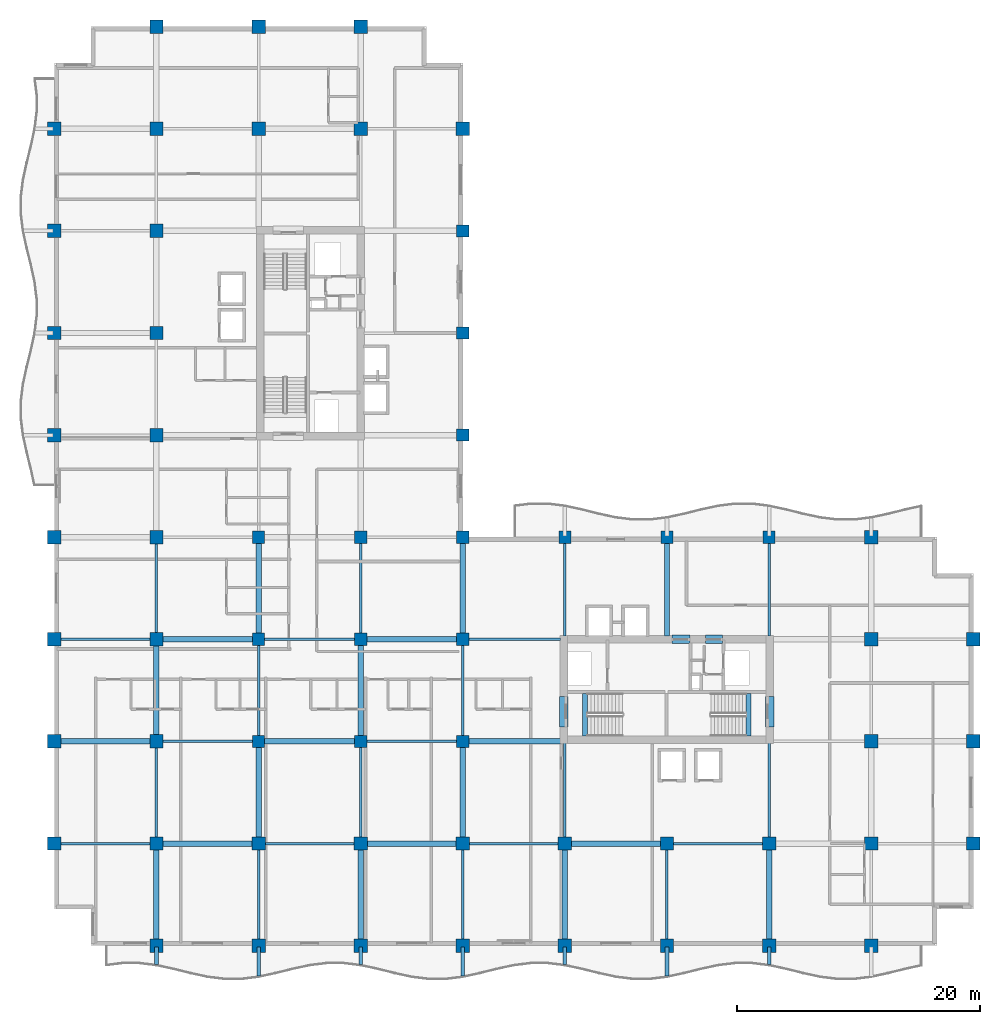
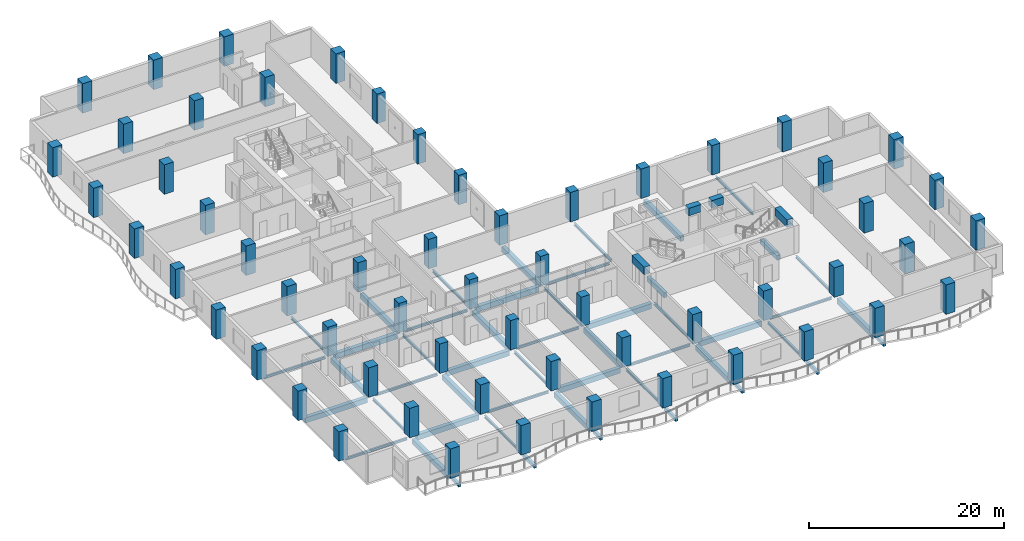
# One storey, part 1 of 15: 58 columns, 54 beams.
"""IFC4 building model written with IfcOpenShell, lengths in metres."""

import ifcopenshell
import ifcopenshell.guid

model = None  # the IFC model being written
_history = None  # IfcOwnerHistory: only IFC2X3 demands one
_inside = {}  # id of a spatial element -> (the spatial element, [elements in it])
_under = {}  # id of a project, library or spatial element -> (it, [spatial elements below it])
_declared = {}  # id of a project -> (the project, [libraries it declares])
_typed = {}  # id of a type object -> (the type object, [elements of that type])
_made_of = {}  # id of a material, layer set ... -> (it, [elements and type objects made of it])


def new_model(schema):
    """Start an empty IFC model of exactly this schema.

    Asked for "IFC4X3", IfcOpenShell would pick the latest addendum, in which some entities
    have other attributes; the version numbers below select the first issue.
    IFC2X3 requires an IfcOwnerHistory on every rooted entity: one is made here for all.
    """
    global model, _history
    if schema == "IFC4X3":
        model = ifcopenshell.file(schema_version=(4, 3, 0, 0))
    else:
        model = ifcopenshell.file(schema=schema)
    _inside.clear()
    _under.clear()
    _declared.clear()
    _typed.clear()
    _made_of.clear()
    _history = None
    if model.schema == "IFC2X3":
        org = make("IfcOrganization", Name="unknown")
        user = make(
            "IfcPersonAndOrganization",
            ThePerson=make("IfcPerson", FamilyName="unknown"),
            TheOrganization=org,
        )
        app = make(
            "IfcApplication",
            ApplicationDeveloper=org,
            Version="unknown",
            ApplicationFullName="unknown",
            ApplicationIdentifier="unknown",
        )
        _history = make(
            "IfcOwnerHistory",
            OwningUser=user,
            OwningApplication=app,
            ChangeAction="ADDED",
            CreationDate=0,
        )
    return model


def make(cls, **values):
    """One entity of the class cls with the attributes given. An attribute that is None is left unset."""
    return model.create_entity(
        cls, **{name: value for name, value in values.items() if value is not None}
    )


def rooted(cls, **values):
    """An entity with a GlobalId (a new one), such as an element, a storey or a relation."""
    return make(cls, GlobalId=ifcopenshell.guid.new(), OwnerHistory=_history, **values)


def si_unit(unit_type, name, prefix=None):
    """IfcSIUnit, for example si_unit("LENGTHUNIT", "METRE", prefix="MILLI")."""
    return make("IfcSIUnit", UnitType=unit_type, Prefix=prefix, Name=name)


def assignment(units):
    """IfcUnitAssignment: the units of a project."""
    return None if units is None else make("IfcUnitAssignment", Units=units)


def point(xyz):
    """IfcCartesianPoint."""
    return None if xyz is None else make("IfcCartesianPoint", Coordinates=xyz)


def direction(xyz):
    """IfcDirection."""
    return None if xyz is None else make("IfcDirection", DirectionRatios=xyz)


def frame(location, z_axis=None, x_axis=None):
    """IfcAxis2Placement3D, a coordinate frame: its origin and axes. An axis left out is left unset."""
    return make(
        "IfcAxis2Placement3D",
        Location=point(location),
        Axis=direction(z_axis),
        RefDirection=direction(x_axis),
    )


def frame_2d(location, x_axis=None):
    """IfcAxis2Placement2D, a coordinate frame in the plane: its origin and x axis."""
    return make(
        "IfcAxis2Placement2D", Location=point(location), RefDirection=direction(x_axis)
    )


def origin():
    """The frame at (0, 0, 0) with its axes left unset."""
    return frame((0.0, 0.0, 0.0))


def origin_2d():
    """The frame at (0, 0) in the plane with its x axis left unset."""
    return frame_2d((0.0, 0.0))


def place(relative_to, where):
    """IfcLocalPlacement: puts the frame where relative to a parent placement (None: the world)."""
    return make(
        "IfcLocalPlacement", PlacementRelTo=relative_to, RelativePlacement=where
    )


def context(
    kind, dimensions, precision=None, world=None, true_north=None, identifier=None
):
    """IfcGeometricRepresentationContext, for example the 3D "Model" context."""
    return make(
        "IfcGeometricRepresentationContext",
        ContextIdentifier=identifier,
        ContextType=kind,
        CoordinateSpaceDimension=dimensions,
        Precision=precision,
        WorldCoordinateSystem=world,
        TrueNorth=true_north,
    )


def subcontext(parent, identifier, kind, view, scale=None):
    """IfcGeometricRepresentationSubContext, for example "Body" below "Model"."""
    return make(
        "IfcGeometricRepresentationSubContext",
        ContextIdentifier=identifier,
        ContextType=kind,
        ParentContext=parent,
        TargetScale=scale,
        TargetView=view,
    )


def project(units=None, contexts=None):
    """IfcProject with its units and contexts."""
    return rooted(
        "IfcProject",
        Name="project",
        RepresentationContexts=contexts,
        UnitsInContext=assignment(units),
    )


def spatial(cls, under=None, at=None, **own):
    """A site, building, storey or space (cls), placed at a placement, below another one or the project."""
    s = rooted(cls, ObjectPlacement=at, **own)
    if under is not None:
        _under.setdefault(under.id(), (under, []))[1].append(s)
    return s


def profile(cls, at=None, kind="AREA", **sizes):
    """A parametric profile (cls). Its sizes go by their IFC names, for example OverallWidth=200.0."""
    return make(cls, ProfileType=kind, Position=at, **sizes)


def rectangle(**sizes):
    """IfcRectangleProfileDef."""
    return profile("IfcRectangleProfileDef", **sizes)


def i_section(**sizes):
    """IfcIShapeProfileDef."""
    return profile("IfcIShapeProfileDef", **sizes)


def extrude(swept, where, along, depth):
    """IfcExtrudedAreaSolid: the profile swept, set in the frame where, extruded along a direction by depth."""
    return make(
        "IfcExtrudedAreaSolid",
        SweptArea=swept,
        Position=where,
        ExtrudedDirection=direction(along),
        Depth=depth,
    )


def shape(context_of_items, identifier, shape_type, items):
    """IfcShapeRepresentation: the items that make up one representation, for example the "Body"."""
    return make(
        "IfcShapeRepresentation",
        ContextOfItems=context_of_items,
        RepresentationIdentifier=identifier,
        RepresentationType=shape_type,
        Items=items,
    )


def material(Name=None, Category=None):
    """IfcMaterial."""
    return make("IfcMaterial", Name=Name, Category=Category)


def material_profile(
    of_material, cross_section, Name=None, Category=None, Priority=None
):
    """IfcMaterialProfile: a cross section and its material."""
    return make(
        "IfcMaterialProfile",
        Name=Name,
        Material=of_material,
        Profile=cross_section,
        Priority=Priority,
        Category=Category,
    )


def profile_set(profiles, Name=None, composite=None):
    """IfcMaterialProfileSet."""
    return make(
        "IfcMaterialProfileSet",
        Name=Name,
        MaterialProfiles=profiles,
        CompositeProfile=composite,
    )


def made_of(thing, what):
    """Note that an element or type object is made of a material, layer set ...; save() writes the relation."""
    if what is not None:
        _made_of.setdefault(what.id(), (what, []))[1].append(thing)
    return thing


def type_object(cls, material=None, **own):
    """A type object (cls), such as IfcWallType, which elements share."""
    return made_of(rooted(cls, **own), material)


def element(
    cls,
    number,
    at=None,
    inside=None,
    cuts=None,
    type_object=None,
    material=None,
    context=None,
    identifier="Body",
    shape_type=None,
    held_by="IfcProductDefinitionShape",
    body=None,
    shapes=None,
    **own,
):
    """One element of the class cls, such as IfcWall. Its Tag is "e" and its number.

    at: its placement. inside: the storey or other place that contains it. cuts: it is an
    opening in that element (IfcRelVoidsElement). A single representation is given by context,
    identifier, shape_type and body (its items); several are given by shapes. held_by: the class
    of the entity that holds the representations. save() writes the other relations.
    """
    e = rooted(cls, Tag="e%d" % number, ObjectPlacement=at, **own)
    if body is not None:
        shapes = [shape(context, identifier, shape_type, body)]
    if shapes is not None:
        e.Representation = make(held_by, Representations=shapes)
    if inside is not None:
        _inside.setdefault(inside.id(), (inside, []))[1].append(e)
    if cuts is not None:
        rooted(
            "IfcRelVoidsElement", RelatingBuildingElement=cuts, RelatedOpeningElement=e
        )
    if type_object is not None:
        _typed.setdefault(type_object.id(), (type_object, []))[1].append(e)
    return made_of(e, material)


def aggregate(whole, parts):
    """IfcRelAggregates: a whole, such as a stair, and the parts it consists of."""
    return rooted("IfcRelAggregates", RelatingObject=whole, RelatedObjects=parts)


def save(model, path):
    """Write the relations noted so far, then the file.

    IfcRelAggregates (storeys below a building ...), IfcRelContainedInSpatialStructure (elements
    in a storey), IfcRelDefinesByType, IfcRelAssociatesMaterial and IfcRelDeclares: one each for
    every whole, place, type object, material and project.
    """
    for whole, parts in _under.values():
        aggregate(whole, parts)
    for where, things in _inside.values():
        rooted(
            "IfcRelContainedInSpatialStructure",
            RelatedElements=things,
            RelatingStructure=where,
        )
    for kind, things in _typed.values():
        rooted("IfcRelDefinesByType", RelatedObjects=things, RelatingType=kind)
    for what, things in _made_of.values():
        rooted("IfcRelAssociatesMaterial", RelatedObjects=things, RelatingMaterial=what)
    for by, libraries in _declared.values():
        rooted("IfcRelDeclares", RelatingContext=by, RelatedDefinitions=libraries)
    model.write(path)


model = new_model("IFC4")

# Units and contexts
model_context = context("Model", 3, precision=1e-05, world=origin(), true_north=direction((0.0, 1.0)))
body_context = subcontext(model_context, "Body", "Model", "MODEL_VIEW")
ifc_project = project(units=[si_unit("LENGTHUNIT", "METRE"), si_unit("AREAUNIT", "SQUARE_METRE"), si_unit("VOLUMEUNIT", "CUBIC_METRE"), si_unit("PLANEANGLEUNIT", "RADIAN"), si_unit("MASSUNIT", "GRAM", prefix="KILO")], contexts=[model_context])

# Site, building, storey
site_placement = place(None, origin())
site = spatial("IfcSite", under=ifc_project, at=site_placement, CompositionType="ELEMENT")
building_placement = place(site_placement, origin())
building = spatial("IfcBuilding", under=site, at=building_placement, Name="Koriwani Terraces Tower", CompositionType="ELEMENT")
storey_placement = place(building_placement, frame((0.0, 0.0, 193.89990234375)))
storey = spatial("IfcBuildingStorey", under=building, at=storey_placement, Name="L47", CompositionType="ELEMENT", Elevation=193.89990234375)

# Columns
ifc_material_1 = material(Name="Concrete C50/60", Category="concrete")
ifc_material_profile_1 = material_profile(ifc_material_1, rectangle(XDim=1.0, YDim=1.0, at=origin_2d()), Name="Concrete C50/60", Category="LoadBearing")
ifc_profile_set_1 = profile_set([ifc_material_profile_1], Name="Concrete C50/60")
column_type_1 = type_object("IfcColumnType", Name="COL_RC_1000X1000", PredefinedType="COLUMN", material=ifc_profile_set_1)
for number, where, z_axis, x_axis, name in (
    (1, (16.800048828125, 16.800048828125, 0.0), (0.0, 0.0, 1.0), (1.0, 0.0, 0.0), "L47 Column 3/C"),
    (2, (16.800048828125, 25.199951171875, 0.0), (0.0, 0.0, 1.0), (1.0, 0.0, 0.0), "L47 Column 3/D"),
    (3, (16.800048828125, 33.60009765625, 0.0), (0.0, 0.0, 1.0), (1.0, 0.0, 0.0), "L47 Column 3/E"),
    (4, (25.199951171875, 16.800048828125, 0.0), (0.0, 0.0, 1.0), (1.0, 0.0, 0.0), "L47 Column 4/C"),
    (5, (25.199951171875, 25.199951171875, 0.0), (0.0, 0.0, 1.0), (1.0, 0.0, 0.0), "L47 Column 4/D"),
    (6, (25.199951171875, 33.60009765625, 0.0), (0.0, 0.0, 1.0), (1.0, 0.0, 0.0), "L47 Column 4/E"),
    (7, (33.60009765625, 16.800048828125, 0.0), (0.0, 0.0, 1.0), (1.0, 0.0, 0.0), "L47 Column 5/C"),
    (8, (33.60009765625, 25.199951171875, 0.0), (0.0, 0.0, 1.0), (1.0, 0.0, 0.0), "L47 Column 5/D"),
    (9, (33.60009765625, 33.60009765625, 0.0), (0.0, 0.0, 1.0), (1.0, 0.0, 0.0), "L47 Column 5/E"),
    (10, (33.60009765625, 42.0, 0.0), (0.0, 0.0, 1.0), (1.0, 0.0, 0.0), "L47 Column 5/F"),
    (11, (33.60009765625, 50.39990234375, 0.0), (0.0, 0.0, 1.0), (1.0, 0.0, 0.0), "L47 Column 5/G"),
    (12, (33.60009765625, 58.800048828125, 0.0), (0.0, 0.0, 1.0), (1.0, 0.0, 0.0), "L47 Column 5/H"),
    (13, (42.0, 33.60009765625, 0.0), (0.0, 0.0, 1.0), (1.0, 0.0, 0.0), "L47 Column 6/E"),
    (14, (50.39990234375, 33.60009765625, 0.0), (0.0, 0.0, 1.0), (1.0, 0.0, 0.0), "L47 Column 7/E"),
    (15, (58.800048828125, 33.60009765625, 0.0), (0.0, 0.0, 1.0), (1.0, 0.0, 0.0), "L47 Column 8/E"),
):
    element("IfcColumn", number, at=place(storey_placement, frame(where, z_axis=z_axis, x_axis=x_axis)), inside=storey, type_object=column_type_1, Name=name, PredefinedType="COLUMN", context=body_context, shape_type="SweptSolid", body=[
        extrude(rectangle(XDim=1.0, YDim=1.0, at=origin_2d()), origin(), (0.0, 0.0, 1.0), 3.7001953125),
    ])
ifc_material_profile_2 = material_profile(ifc_material_1, rectangle(XDim=1.10009765625, YDim=1.10009765625, at=origin_2d()), Name="Concrete C50/60", Category="LoadBearing")
ifc_profile_set_2 = profile_set([ifc_material_profile_2], Name="Concrete C50/60")
column_type_2 = type_object("IfcColumnType", Name="COL_RC_1100X1100", PredefinedType="COLUMN", material=ifc_profile_set_2)
for number, where, z_axis, x_axis, name in (
    (16, (0.0, 8.39990234375, 0.0), (0.0, 0.0, 1.0), (1.0, 0.0, 0.0), "L47 Column 1/B"),
    (17, (0.0, 16.800048828125, 0.0), (0.0, 0.0, 1.0), (1.0, 0.0, 0.0), "L47 Column 1/C"),
    (18, (0.0, 25.199951171875, 0.0), (0.0, 0.0, 1.0), (1.0, 0.0, 0.0), "L47 Column 1/D"),
    (19, (0.0, 33.60009765625, 0.0), (0.0, 0.0, 1.0), (1.0, 0.0, 0.0), "L47 Column 1/E"),
    (20, (0.0, 42.0, 0.0), (0.0, 0.0, 1.0), (1.0, 0.0, 0.0), "L47 Column 1/F"),
    (21, (0.0, 50.39990234375, 0.0), (0.0, 0.0, 1.0), (1.0, 0.0, 0.0), "L47 Column 1/G"),
    (22, (0.0, 58.800048828125, 0.0), (0.0, 0.0, 1.0), (1.0, 0.0, 0.0), "L47 Column 1/H"),
    (23, (0.0, 67.199951171875, 0.0), (0.0, 0.0, 1.0), (1.0, 0.0, 0.0), "L47 Column 1/I"),
    (24, (8.39990234375, 0.0, 0.0), (0.0, 0.0, 1.0), (1.0, 0.0, 0.0), "L47 Column 2/A"),
    (25, (8.39990234375, 8.39990234375, 0.0), (0.0, 0.0, 1.0), (1.0, 0.0, 0.0), "L47 Column 2/B"),
    (26, (8.39990234375, 16.800048828125, 0.0), (0.0, 0.0, 1.0), (1.0, 0.0, 0.0), "L47 Column 2/C"),
    (27, (8.39990234375, 25.199951171875, 0.0), (0.0, 0.0, 1.0), (1.0, 0.0, 0.0), "L47 Column 2/D"),
    (28, (8.39990234375, 33.60009765625, 0.0), (0.0, 0.0, 1.0), (1.0, 0.0, 0.0), "L47 Column 2/E"),
    (29, (8.39990234375, 42.0, 0.0), (0.0, 0.0, 1.0), (1.0, 0.0, 0.0), "L47 Column 2/F"),
    (30, (8.39990234375, 50.39990234375, 0.0), (0.0, 0.0, 1.0), (1.0, 0.0, 0.0), "L47 Column 2/G"),
    (31, (8.39990234375, 58.800048828125, 0.0), (0.0, 0.0, 1.0), (1.0, 0.0, 0.0), "L47 Column 2/H"),
    (32, (8.39990234375, 67.199951171875, 0.0), (0.0, 0.0, 1.0), (1.0, 0.0, 0.0), "L47 Column 2/I"),
    (33, (8.39990234375, 75.60009765625, 0.0), (0.0, 0.0, 1.0), (1.0, 0.0, 0.0), "L47 Column 2/J"),
    (34, (16.800048828125, 0.0, 0.0), (0.0, 0.0, 1.0), (1.0, 0.0, 0.0), "L47 Column 3/A"),
    (35, (16.800048828125, 8.39990234375, 0.0), (0.0, 0.0, 1.0), (1.0, 0.0, 0.0), "L47 Column 3/B"),
    (36, (16.800048828125, 67.199951171875, 0.0), (0.0, 0.0, 1.0), (1.0, 0.0, 0.0), "L47 Column 3/I"),
    (37, (16.800048828125, 75.60009765625, 0.0), (0.0, 0.0, 1.0), (1.0, 0.0, 0.0), "L47 Column 3/J"),
    (38, (25.199951171875, 0.0, 0.0), (0.0, 0.0, 1.0), (1.0, 0.0, 0.0), "L47 Column 4/A"),
    (39, (25.199951171875, 8.39990234375, 0.0), (0.0, 0.0, 1.0), (1.0, 0.0, 0.0), "L47 Column 4/B"),
    (40, (25.199951171875, 67.199951171875, 0.0), (0.0, 0.0, 1.0), (1.0, 0.0, 0.0), "L47 Column 4/I"),
    (41, (25.199951171875, 75.60009765625, 0.0), (0.0, 0.0, 1.0), (1.0, 0.0, 0.0), "L47 Column 4/J"),
    (42, (33.60009765625, 0.0, 0.0), (0.0, 0.0, 1.0), (1.0, 0.0, 0.0), "L47 Column 5/A"),
    (43, (33.60009765625, 8.39990234375, 0.0), (0.0, 0.0, 1.0), (1.0, 0.0, 0.0), "L47 Column 5/B"),
    (44, (33.60009765625, 67.199951171875, 0.0), (0.0, 0.0, 1.0), (1.0, 0.0, 0.0), "L47 Column 5/I"),
    (45, (42.0, 0.0, 0.0), (0.0, 0.0, 1.0), (1.0, 0.0, 0.0), "L47 Column 6/A"),
    (46, (42.0, 8.39990234375, 0.0), (0.0, 0.0, 1.0), (1.0, 0.0, 0.0), "L47 Column 6/B"),
    (47, (50.39990234375, 0.0, 0.0), (0.0, 0.0, 1.0), (1.0, 0.0, 0.0), "L47 Column 7/A"),
    (48, (50.39990234375, 8.39990234375, 0.0), (0.0, 0.0, 1.0), (1.0, 0.0, 0.0), "L47 Column 7/B"),
    (49, (58.800048828125, 0.0, 0.0), (0.0, 0.0, 1.0), (1.0, 0.0, 0.0), "L47 Column 8/A"),
    (50, (58.800048828125, 8.39990234375, 0.0), (0.0, 0.0, 1.0), (1.0, 0.0, 0.0), "L47 Column 8/B"),
    (51, (67.199951171875, 0.0, 0.0), (0.0, 0.0, 1.0), (1.0, 0.0, 0.0), "L47 Column 9/A"),
    (52, (67.199951171875, 8.39990234375, 0.0), (0.0, 0.0, 1.0), (1.0, 0.0, 0.0), "L47 Column 9/B"),
    (53, (67.199951171875, 16.800048828125, 0.0), (0.0, 0.0, 1.0), (1.0, 0.0, 0.0), "L47 Column 9/C"),
    (54, (67.199951171875, 25.199951171875, 0.0), (0.0, 0.0, 1.0), (1.0, 0.0, 0.0), "L47 Column 9/D"),
    (55, (67.199951171875, 33.60009765625, 0.0), (0.0, 0.0, 1.0), (1.0, 0.0, 0.0), "L47 Column 9/E"),
    (56, (75.60009765625, 8.39990234375, 0.0), (0.0, 0.0, 1.0), (1.0, 0.0, 0.0), "L47 Column 10/B"),
    (57, (75.60009765625, 16.800048828125, 0.0), (0.0, 0.0, 1.0), (1.0, 0.0, 0.0), "L47 Column 10/C"),
    (58, (75.60009765625, 25.199951171875, 0.0), (0.0, 0.0, 1.0), (1.0, 0.0, 0.0), "L47 Column 10/D"),
):
    element("IfcColumn", number, at=place(storey_placement, frame(where, z_axis=z_axis, x_axis=x_axis)), inside=storey, type_object=column_type_2, Name=name, PredefinedType="COLUMN", context=body_context, shape_type="SweptSolid", body=[
        extrude(rectangle(XDim=1.10009765625, YDim=1.10009765625, at=origin_2d()), origin(), (0.0, 0.0, 1.0), 3.7001953125),
    ])

# Beams
ifc_material_2 = material(Name="Concrete C40/50", Category="concrete")
ifc_material_profile_3 = material_profile(ifc_material_2, rectangle(XDim=0.300048828125, YDim=0.39990234375, at=origin_2d()), Name="Concrete C40/50", Category="LoadBearing")
ifc_profile_set_3 = profile_set([ifc_material_profile_3], Name="Concrete C40/50")
beam_type_1 = type_object("IfcBeamType", Name="BEAM_RC_BALCONY_RIB_300X400", PredefinedType="JOIST", material=ifc_profile_set_3)
beam_1_placement = place(storey_placement, frame((8.39990234375, -1.547607421875, -0.429931640625), z_axis=(0.0, 1.0, 0.0), x_axis=(-1.0, 0.0, 0.0)))
element("IfcBeam", 59, at=beam_1_placement, inside=storey, type_object=beam_type_1, Name="L47 Balcony Bracket Rib S-1", PredefinedType="JOIST", context=body_context, shape_type="SweptSolid", body=[
    extrude(rectangle(XDim=0.300048828125, YDim=0.39990234375, at=origin_2d()), origin(), (0.0, 0.0, 1.0), 1.447509765625),
])
beam_2_placement = place(storey_placement, frame((16.800048828125, -2.502197265625, -0.429931640625), z_axis=(0.0, 1.0, 0.0), x_axis=(-1.0, 0.0, 0.0)))
element("IfcBeam", 60, at=beam_2_placement, inside=storey, type_object=beam_type_1, Name="L47 Balcony Bracket Rib S-2", PredefinedType="JOIST", context=body_context, shape_type="SweptSolid", body=[
    extrude(rectangle(XDim=0.300048828125, YDim=0.39990234375, at=origin_2d()), origin(), (0.0, 0.0, 1.0), 2.402099609375),
])
beam_3_placement = place(storey_placement, frame((25.199951171875, -1.547607421875, -0.429931640625), z_axis=(0.0, 1.0, 0.0), x_axis=(-1.0, 0.0, 0.0)))
element("IfcBeam", 61, at=beam_3_placement, inside=storey, type_object=beam_type_1, Name="L47 Balcony Bracket Rib S-3", PredefinedType="JOIST", context=body_context, shape_type="SweptSolid", body=[
    extrude(rectangle(XDim=0.300048828125, YDim=0.39990234375, at=origin_2d()), origin(), (0.0, 0.0, 1.0), 1.447509765625),
])
beam_4_placement = place(storey_placement, frame((33.60009765625, -2.502197265625, -0.429931640625), z_axis=(0.0, 1.0, 0.0), x_axis=(-1.0, 0.0, 0.0)))
element("IfcBeam", 62, at=beam_4_placement, inside=storey, type_object=beam_type_1, Name="L47 Balcony Bracket Rib S-4", PredefinedType="JOIST", context=body_context, shape_type="SweptSolid", body=[
    extrude(rectangle(XDim=0.300048828125, YDim=0.39990234375, at=origin_2d()), origin(), (0.0, 0.0, 1.0), 2.402099609375),
])
beam_5_placement = place(storey_placement, frame((42.0, -1.547607421875, -0.429931640625), z_axis=(0.0, 1.0, 0.0), x_axis=(-1.0, 0.0, 0.0)))
element("IfcBeam", 63, at=beam_5_placement, inside=storey, type_object=beam_type_1, Name="L47 Balcony Bracket Rib S-5", PredefinedType="JOIST", context=body_context, shape_type="SweptSolid", body=[
    extrude(rectangle(XDim=0.300048828125, YDim=0.39990234375, at=origin_2d()), origin(), (0.0, 0.0, 1.0), 1.447509765625),
])
beam_6_placement = place(storey_placement, frame((50.39990234375, -2.502197265625, -0.429931640625), z_axis=(0.0, 1.0, 0.0), x_axis=(-1.0, 0.0, 0.0)))
element("IfcBeam", 64, at=beam_6_placement, inside=storey, type_object=beam_type_1, Name="L47 Balcony Bracket Rib S-6", PredefinedType="JOIST", context=body_context, shape_type="SweptSolid", body=[
    extrude(rectangle(XDim=0.300048828125, YDim=0.39990234375, at=origin_2d()), origin(), (0.0, 0.0, 1.0), 2.402099609375),
])
beam_7_placement = place(storey_placement, frame((58.800048828125, -1.547607421875, -0.429931640625), z_axis=(0.0, 1.0, 0.0), x_axis=(-1.0, 0.0, 0.0)))
element("IfcBeam", 65, at=beam_7_placement, inside=storey, type_object=beam_type_1, Name="L47 Balcony Bracket Rib S-7", PredefinedType="JOIST", context=body_context, shape_type="SweptSolid", body=[
    extrude(rectangle(XDim=0.300048828125, YDim=0.39990234375, at=origin_2d()), origin(), (0.0, 0.0, 1.0), 1.447509765625),
])
ifc_material_3 = material(Name="Concrete C60/75", Category="concrete")
ifc_material_profile_4 = material_profile(ifc_material_3, rectangle(XDim=0.699951171875, YDim=0.949951171875, at=origin_2d()), Name="Concrete C60/75", Category="LoadBearing")
ifc_profile_set_4 = profile_set([ifc_material_profile_4], Name="Concrete C60/75")
beam_type_2 = type_object("IfcBeamType", Name="BEAM_RC_COUPLING_700X950", PredefinedType="LINTEL", material=ifc_profile_set_4)
beam_8_placement = place(storey_placement, frame((50.800048828125, 25.199951171875, 2.9951171875), z_axis=(1.0, 0.0, 0.0), x_axis=(0.0, 1.0, 0.0)))
element("IfcBeam", 66, at=beam_8_placement, inside=storey, type_object=beam_type_2, Name="L47 Core Coupling Lintel Beam EN1", PredefinedType="LINTEL", context=body_context, shape_type="SweptSolid", body=[
    extrude(rectangle(XDim=0.699951171875, YDim=0.949951171875, at=origin_2d()), origin(), (0.0, 0.0, 1.0), 1.47998046875),
])
beam_9_placement = place(storey_placement, frame((53.550048828125, 25.199951171875, 2.9951171875), z_axis=(1.0, 0.0, 0.0), x_axis=(0.0, 1.0, 0.0)))
element("IfcBeam", 67, at=beam_9_placement, inside=storey, type_object=beam_type_2, Name="L47 Core Coupling Lintel Beam EN2", PredefinedType="LINTEL", context=body_context, shape_type="SweptSolid", body=[
    extrude(rectangle(XDim=0.699951171875, YDim=0.949951171875, at=origin_2d()), origin(), (0.0, 0.0, 1.0), 1.39990234375),
])
for number, where, z_axis, x_axis, name in (
    (68, (41.89990234375, 18.0, 2.9951171875), (0.0, 1.0, 0.0), (-1.0, 0.0, 0.0), "L47 Core Coupling Lintel Beam EW"),
    (69, (58.85009765625, 18.0, 2.9951171875), (0.0, 1.0, 0.0), (-1.0, 0.0, 0.0), "L47 Core Coupling Lintel Beam EE"),
):
    element("IfcBeam", number, at=place(storey_placement, frame(where, z_axis=z_axis, x_axis=x_axis)), inside=storey, type_object=beam_type_2, Name=name, PredefinedType="LINTEL", context=body_context, shape_type="SweptSolid", body=[
        extrude(rectangle(XDim=0.699951171875, YDim=0.949951171875, at=origin_2d()), origin(), (0.0, 0.0, 1.0), 2.5),
    ])
ifc_material_profile_5 = material_profile(ifc_material_2, rectangle(XDim=0.39990234375, YDim=0.60009765625, at=origin_2d()), Name="Concrete C40/50", Category="LoadBearing")
ifc_profile_set_5 = profile_set([ifc_material_profile_5], Name="Concrete C40/50")
beam_type_3 = type_object("IfcBeamType", Name="BEAM_RC_GRID_400X600", PredefinedType="BEAM", material=ifc_profile_set_5)
for number, where, z_axis, x_axis, name in (
    (70, (43.655029296875, 17.25, -0.2998046875), (0.0, 1.0, 0.0), (-1.0, 0.0, 0.0), "L47 Stairwell Header Trimmer Beam ST-E1"),
    (71, (57.094970703125, 17.25, -0.2998046875), (0.0, 1.0, 0.0), (-1.0, 0.0, 0.0), "L47 Stairwell Header Trimmer Beam ST-E2"),
):
    element("IfcBeam", number, at=place(storey_placement, frame(where, z_axis=z_axis, x_axis=x_axis)), inside=storey, type_object=beam_type_3, Name=name, PredefinedType="BEAM", context=body_context, shape_type="SweptSolid", body=[
        extrude(rectangle(XDim=0.39990234375, YDim=0.60009765625, at=origin_2d()), origin(), (0.0, 0.0, 1.0), 3.5),
    ])
ifc_material_profile_6 = material_profile(ifc_material_1, rectangle(XDim=0.449951171875, YDim=0.64990234375, at=origin_2d()), Name="Concrete C50/60", Category="LoadBearing")
ifc_profile_set_6 = profile_set([ifc_material_profile_6], Name="Concrete C50/60")
beam_type_4 = type_object("IfcBeamType", Name="BEAM_RC_GRID_450X650", PredefinedType="BEAM", material=ifc_profile_set_6)
for number, where, z_axis, x_axis, name in (
    (72, (8.929931640625, 8.39990234375, -0.554931640625), (1.0, 0.0, 0.0), (0.0, 1.0, 0.0), "L47 Grid Beam B (8.4-16.8m)"),
    (73, (25.72998046875, 8.39990234375, -0.554931640625), (1.0, 0.0, 0.0), (0.0, 1.0, 0.0), "L47 Grid Beam B (25.2-33.6m)"),
    (74, (42.530029296875, 8.39990234375, -0.554931640625), (1.0, 0.0, 0.0), (0.0, 1.0, 0.0), "L47 Grid Beam B (42.0-50.4m)"),
    (75, (0.530029296875, 16.800048828125, -0.554931640625), (1.0, 0.0, 0.0), (0.0, 1.0, 0.0), "L47 Grid Beam C (0.0-8.4m)"),
):
    element("IfcBeam", number, at=place(storey_placement, frame(where, z_axis=z_axis, x_axis=x_axis)), inside=storey, type_object=beam_type_4, Name=name, PredefinedType="BEAM", context=body_context, shape_type="SweptSolid", body=[
        extrude(rectangle(XDim=0.449951171875, YDim=0.64990234375, at=origin_2d()), origin(), (0.0, 0.0, 1.0), 7.340087890625),
    ])
beam_10_placement = place(storey_placement, frame((17.280029296875, 16.800048828125, -0.554931640625), z_axis=(1.0, 0.0, 0.0), x_axis=(0.0, 1.0, 0.0)))
element("IfcBeam", 76, at=beam_10_placement, inside=storey, type_object=beam_type_4, Name="L47 Grid Beam C (16.8-25.2m)", PredefinedType="BEAM", context=body_context, shape_type="SweptSolid", body=[
    extrude(rectangle(XDim=0.449951171875, YDim=0.64990234375, at=origin_2d()), origin(), (0.0, 0.0, 1.0), 7.43994140625),
])
beam_11_placement = place(storey_placement, frame((34.080078125, 16.800048828125, -0.554931640625), z_axis=(1.0, 0.0, 0.0), x_axis=(0.0, 1.0, 0.0)))
element("IfcBeam", 77, at=beam_11_placement, inside=storey, type_object=beam_type_4, Name="L47 Grid Beam C (33.6-42.0m)", PredefinedType="BEAM", context=body_context, shape_type="SweptSolid", body=[
    extrude(rectangle(XDim=0.449951171875, YDim=0.64990234375, at=origin_2d()), origin(), (0.0, 0.0, 1.0), 7.5400390625),
])
beam_12_placement = place(storey_placement, frame((8.929931640625, 25.199951171875, -0.554931640625), z_axis=(1.0, 0.0, 0.0), x_axis=(0.0, 1.0, 0.0)))
element("IfcBeam", 78, at=beam_12_placement, inside=storey, type_object=beam_type_4, Name="L47 Grid Beam D (8.4-16.8m)", PredefinedType="BEAM", context=body_context, shape_type="SweptSolid", body=[
    extrude(rectangle(XDim=0.449951171875, YDim=0.64990234375, at=origin_2d()), origin(), (0.0, 0.0, 1.0), 7.39013671875),
])
beam_13_placement = place(storey_placement, frame((25.679931640625, 25.199951171875, -0.554931640625), z_axis=(1.0, 0.0, 0.0), x_axis=(0.0, 1.0, 0.0)))
element("IfcBeam", 79, at=beam_13_placement, inside=storey, type_object=beam_type_4, Name="L47 Grid Beam D (25.2-33.6m)", PredefinedType="BEAM", context=body_context, shape_type="SweptSolid", body=[
    extrude(rectangle(XDim=0.449951171875, YDim=0.64990234375, at=origin_2d()), origin(), (0.0, 0.0, 1.0), 7.440185546875),
])
beam_14_placement = place(storey_placement, frame((8.39990234375, 0.530029296875, -0.554931640625), z_axis=(0.0, 1.0, 0.0), x_axis=(-1.0, 0.0, 0.0)))
element("IfcBeam", 80, at=beam_14_placement, inside=storey, type_object=beam_type_4, Name="L47 Grid Beam 2 (0.0-8.4m)", PredefinedType="BEAM", context=body_context, shape_type="SweptSolid", body=[
    extrude(rectangle(XDim=0.449951171875, YDim=0.64990234375, at=origin_2d()), origin(), (0.0, 0.0, 1.0), 7.340087890625),
])
beam_15_placement = place(storey_placement, frame((8.39990234375, 17.330078125, -0.554931640625), z_axis=(0.0, 1.0, 0.0), x_axis=(-1.0, 0.0, 0.0)))
element("IfcBeam", 81, at=beam_15_placement, inside=storey, type_object=beam_type_4, Name="L47 Grid Beam 2 (16.8-25.2m)", PredefinedType="BEAM", context=body_context, shape_type="SweptSolid", body=[
    extrude(rectangle(XDim=0.449951171875, YDim=0.64990234375, at=origin_2d()), origin(), (0.0, 0.0, 1.0), 7.33984375),
])
beam_16_placement = place(storey_placement, frame((16.800048828125, 8.929931640625, -0.554931640625), z_axis=(0.0, 1.0, 0.0), x_axis=(-1.0, 0.0, 0.0)))
element("IfcBeam", 82, at=beam_16_placement, inside=storey, type_object=beam_type_4, Name="L47 Grid Beam 3 (8.4-16.8m)", PredefinedType="BEAM", context=body_context, shape_type="SweptSolid", body=[
    extrude(rectangle(XDim=0.449951171875, YDim=0.64990234375, at=origin_2d()), origin(), (0.0, 0.0, 1.0), 7.39013671875),
])
beam_17_placement = place(storey_placement, frame((16.800048828125, 25.679931640625, -0.554931640625), z_axis=(0.0, 1.0, 0.0), x_axis=(-1.0, 0.0, 0.0)))
element("IfcBeam", 83, at=beam_17_placement, inside=storey, type_object=beam_type_4, Name="L47 Grid Beam 3 (25.2-33.6m)", PredefinedType="BEAM", context=body_context, shape_type="SweptSolid", body=[
    extrude(rectangle(XDim=0.449951171875, YDim=0.64990234375, at=origin_2d()), origin(), (0.0, 0.0, 1.0), 7.440185546875),
])
beam_18_placement = place(storey_placement, frame((25.199951171875, 0.530029296875, -0.554931640625), z_axis=(0.0, 1.0, 0.0), x_axis=(-1.0, 0.0, 0.0)))
element("IfcBeam", 84, at=beam_18_placement, inside=storey, type_object=beam_type_4, Name="L47 Grid Beam 4 (0.0-8.4m)", PredefinedType="BEAM", context=body_context, shape_type="SweptSolid", body=[
    extrude(rectangle(XDim=0.449951171875, YDim=0.64990234375, at=origin_2d()), origin(), (0.0, 0.0, 1.0), 7.340087890625),
])
beam_19_placement = place(storey_placement, frame((25.199951171875, 17.280029296875, -0.554931640625), z_axis=(0.0, 1.0, 0.0), x_axis=(-1.0, 0.0, 0.0)))
element("IfcBeam", 85, at=beam_19_placement, inside=storey, type_object=beam_type_4, Name="L47 Grid Beam 4 (16.8-25.2m)", PredefinedType="BEAM", context=body_context, shape_type="SweptSolid", body=[
    extrude(rectangle(XDim=0.449951171875, YDim=0.64990234375, at=origin_2d()), origin(), (0.0, 0.0, 1.0), 7.43994140625),
])
beam_20_placement = place(storey_placement, frame((33.60009765625, 8.929931640625, -0.554931640625), z_axis=(0.0, 1.0, 0.0), x_axis=(-1.0, 0.0, 0.0)))
element("IfcBeam", 86, at=beam_20_placement, inside=storey, type_object=beam_type_4, Name="L47 Grid Beam 5 (8.4-16.8m)", PredefinedType="BEAM", context=body_context, shape_type="SweptSolid", body=[
    extrude(rectangle(XDim=0.449951171875, YDim=0.64990234375, at=origin_2d()), origin(), (0.0, 0.0, 1.0), 7.39013671875),
])
beam_21_placement = place(storey_placement, frame((33.60009765625, 25.679931640625, -0.554931640625), z_axis=(0.0, 1.0, 0.0), x_axis=(-1.0, 0.0, 0.0)))
element("IfcBeam", 87, at=beam_21_placement, inside=storey, type_object=beam_type_4, Name="L47 Grid Beam 5 (25.2-33.6m)", PredefinedType="BEAM", context=body_context, shape_type="SweptSolid", body=[
    extrude(rectangle(XDim=0.449951171875, YDim=0.64990234375, at=origin_2d()), origin(), (0.0, 0.0, 1.0), 7.440185546875),
])
beam_22_placement = place(storey_placement, frame((42.0, 0.530029296875, -0.554931640625), z_axis=(0.0, 1.0, 0.0), x_axis=(-1.0, 0.0, 0.0)))
element("IfcBeam", 88, at=beam_22_placement, inside=storey, type_object=beam_type_4, Name="L47 Grid Beam 6 (0.0-8.4m)", PredefinedType="BEAM", context=body_context, shape_type="SweptSolid", body=[
    extrude(rectangle(XDim=0.449951171875, YDim=0.64990234375, at=origin_2d()), origin(), (0.0, 0.0, 1.0), 7.340087890625),
])
beam_23_placement = place(storey_placement, frame((50.39990234375, 25.47998046875, -0.554931640625), z_axis=(0.0, 1.0, 0.0), x_axis=(-1.0, 0.0, 0.0)))
element("IfcBeam", 89, at=beam_23_placement, inside=storey, type_object=beam_type_4, Name="L47 Grid Beam 7 (25.2-33.6m)", PredefinedType="BEAM", context=body_context, shape_type="SweptSolid", body=[
    extrude(rectangle(XDim=0.449951171875, YDim=0.64990234375, at=origin_2d()), origin(), (0.0, 0.0, 1.0), 7.64013671875),
])
beam_24_placement = place(storey_placement, frame((58.800048828125, 0.530029296875, -0.554931640625), z_axis=(0.0, 1.0, 0.0), x_axis=(-1.0, 0.0, 0.0)))
element("IfcBeam", 90, at=beam_24_placement, inside=storey, type_object=beam_type_4, Name="L47 Grid Beam 8 (0.0-8.4m)", PredefinedType="BEAM", context=body_context, shape_type="SweptSolid", body=[
    extrude(rectangle(XDim=0.449951171875, YDim=0.64990234375, at=origin_2d()), origin(), (0.0, 0.0, 1.0), 7.340087890625),
])
ifc_material_4 = material(Name="Steel ASTM A572 Grade 50", Category="steel")
ifc_material_profile_7 = material_profile(ifc_material_4, i_section(OverallWidth=0.205078125, OverallDepth=0.31005859375, WebThickness=0.009521484375, FlangeThickness=0.016357421875, at=origin_2d()), Name="Steel ASTM A572 Grade 50", Category="LoadBearing")
ifc_profile_set_7 = profile_set([ifc_material_profile_7], Name="Steel ASTM A572 Grade 50")
beam_type_5 = type_object("IfcBeamType", Name="STEEL_BEAM_W310X74", PredefinedType="JOIST", material=ifc_profile_set_7)
beam_25_placement = place(storey_placement, frame((0.530029296875, 8.39990234375, -0.385009765625), z_axis=(1.0, 0.0, 0.0), x_axis=(0.0, 1.0, 0.0)))
element("IfcBeam", 91, at=beam_25_placement, inside=storey, type_object=beam_type_5, Name="L47 Grid Beam B (0.0-8.4m)", PredefinedType="JOIST", context=body_context, shape_type="SweptSolid", body=[
    extrude(i_section(OverallWidth=0.205078125, OverallDepth=0.31005859375, WebThickness=0.009521484375, FlangeThickness=0.016357421875, at=origin_2d()), origin(), (0.0, 0.0, 1.0), 7.340087890625),
])
beam_26_placement = place(storey_placement, frame((17.330078125, 8.39990234375, -0.385009765625), z_axis=(1.0, 0.0, 0.0), x_axis=(0.0, 1.0, 0.0)))
element("IfcBeam", 92, at=beam_26_placement, inside=storey, type_object=beam_type_5, Name="L47 Grid Beam B (16.8-25.2m)", PredefinedType="JOIST", context=body_context, shape_type="SweptSolid", body=[
    extrude(i_section(OverallWidth=0.205078125, OverallDepth=0.31005859375, WebThickness=0.009521484375, FlangeThickness=0.016357421875, at=origin_2d()), origin(), (0.0, 0.0, 1.0), 7.33984375),
])
for number, where, z_axis, x_axis, name in (
    (93, (34.1298828125, 8.39990234375, -0.385009765625), (1.0, 0.0, 0.0), (0.0, 1.0, 0.0), "L47 Grid Beam B (33.6-42.0m)"),
    (94, (50.929931640625, 8.39990234375, -0.385009765625), (1.0, 0.0, 0.0), (0.0, 1.0, 0.0), "L47 Grid Beam B (50.4-58.8m)"),
):
    element("IfcBeam", number, at=place(storey_placement, frame(where, z_axis=z_axis, x_axis=x_axis)), inside=storey, type_object=beam_type_5, Name=name, PredefinedType="JOIST", context=body_context, shape_type="SweptSolid", body=[
        extrude(i_section(OverallWidth=0.205078125, OverallDepth=0.31005859375, WebThickness=0.009521484375, FlangeThickness=0.016357421875, at=origin_2d()), origin(), (0.0, 0.0, 1.0), 7.340087890625),
    ])
beam_27_placement = place(storey_placement, frame((8.929931640625, 16.800048828125, -0.385009765625), z_axis=(1.0, 0.0, 0.0), x_axis=(0.0, 1.0, 0.0)))
element("IfcBeam", 95, at=beam_27_placement, inside=storey, type_object=beam_type_5, Name="L47 Grid Beam C (8.4-16.8m)", PredefinedType="JOIST", context=body_context, shape_type="SweptSolid", body=[
    extrude(i_section(OverallWidth=0.205078125, OverallDepth=0.31005859375, WebThickness=0.009521484375, FlangeThickness=0.016357421875, at=origin_2d()), origin(), (0.0, 0.0, 1.0), 7.39013671875),
])
beam_28_placement = place(storey_placement, frame((25.679931640625, 16.800048828125, -0.385009765625), z_axis=(1.0, 0.0, 0.0), x_axis=(0.0, 1.0, 0.0)))
element("IfcBeam", 96, at=beam_28_placement, inside=storey, type_object=beam_type_5, Name="L47 Grid Beam C (25.2-33.6m)", PredefinedType="JOIST", context=body_context, shape_type="SweptSolid", body=[
    extrude(i_section(OverallWidth=0.205078125, OverallDepth=0.31005859375, WebThickness=0.009521484375, FlangeThickness=0.016357421875, at=origin_2d()), origin(), (0.0, 0.0, 1.0), 7.440185546875),
])
beam_29_placement = place(storey_placement, frame((0.530029296875, 25.199951171875, -0.385009765625), z_axis=(1.0, 0.0, 0.0), x_axis=(0.0, 1.0, 0.0)))
element("IfcBeam", 97, at=beam_29_placement, inside=storey, type_object=beam_type_5, Name="L47 Grid Beam D (0.0-8.4m)", PredefinedType="JOIST", context=body_context, shape_type="SweptSolid", body=[
    extrude(i_section(OverallWidth=0.205078125, OverallDepth=0.31005859375, WebThickness=0.009521484375, FlangeThickness=0.016357421875, at=origin_2d()), origin(), (0.0, 0.0, 1.0), 7.340087890625),
])
beam_30_placement = place(storey_placement, frame((17.280029296875, 25.199951171875, -0.385009765625), z_axis=(1.0, 0.0, 0.0), x_axis=(0.0, 1.0, 0.0)))
element("IfcBeam", 98, at=beam_30_placement, inside=storey, type_object=beam_type_5, Name="L47 Grid Beam D (16.8-25.2m)", PredefinedType="JOIST", context=body_context, shape_type="SweptSolid", body=[
    extrude(i_section(OverallWidth=0.205078125, OverallDepth=0.31005859375, WebThickness=0.009521484375, FlangeThickness=0.016357421875, at=origin_2d()), origin(), (0.0, 0.0, 1.0), 7.43994140625),
])
beam_31_placement = place(storey_placement, frame((34.080078125, 25.199951171875, -0.385009765625), z_axis=(1.0, 0.0, 0.0), x_axis=(0.0, 1.0, 0.0)))
element("IfcBeam", 99, at=beam_31_placement, inside=storey, type_object=beam_type_5, Name="L47 Grid Beam D (33.6-42.0m)", PredefinedType="JOIST", context=body_context, shape_type="SweptSolid", body=[
    extrude(i_section(OverallWidth=0.205078125, OverallDepth=0.31005859375, WebThickness=0.009521484375, FlangeThickness=0.016357421875, at=origin_2d()), origin(), (0.0, 0.0, 1.0), 7.5400390625),
])
for number, where, z_axis, x_axis, name in (
    (100, (8.39990234375, 8.929931640625, -0.385009765625), (0.0, 1.0, 0.0), (-1.0, 0.0, 0.0), "L47 Grid Beam 2 (8.4-16.8m)"),
    (101, (8.39990234375, 25.72998046875, -0.385009765625), (0.0, 1.0, 0.0), (-1.0, 0.0, 0.0), "L47 Grid Beam 2 (25.2-33.6m)"),
    (102, (16.800048828125, 0.530029296875, -0.385009765625), (0.0, 1.0, 0.0), (-1.0, 0.0, 0.0), "L47 Grid Beam 3 (0.0-8.4m)"),
):
    element("IfcBeam", number, at=place(storey_placement, frame(where, z_axis=z_axis, x_axis=x_axis)), inside=storey, type_object=beam_type_5, Name=name, PredefinedType="JOIST", context=body_context, shape_type="SweptSolid", body=[
        extrude(i_section(OverallWidth=0.205078125, OverallDepth=0.31005859375, WebThickness=0.009521484375, FlangeThickness=0.016357421875, at=origin_2d()), origin(), (0.0, 0.0, 1.0), 7.340087890625),
    ])
beam_32_placement = place(storey_placement, frame((16.800048828125, 17.280029296875, -0.385009765625), z_axis=(0.0, 1.0, 0.0), x_axis=(-1.0, 0.0, 0.0)))
element("IfcBeam", 103, at=beam_32_placement, inside=storey, type_object=beam_type_5, Name="L47 Grid Beam 3 (16.8-25.2m)", PredefinedType="JOIST", context=body_context, shape_type="SweptSolid", body=[
    extrude(i_section(OverallWidth=0.205078125, OverallDepth=0.31005859375, WebThickness=0.009521484375, FlangeThickness=0.016357421875, at=origin_2d()), origin(), (0.0, 0.0, 1.0), 7.43994140625),
])
beam_33_placement = place(storey_placement, frame((25.199951171875, 8.929931640625, -0.385009765625), z_axis=(0.0, 1.0, 0.0), x_axis=(-1.0, 0.0, 0.0)))
element("IfcBeam", 104, at=beam_33_placement, inside=storey, type_object=beam_type_5, Name="L47 Grid Beam 4 (8.4-16.8m)", PredefinedType="JOIST", context=body_context, shape_type="SweptSolid", body=[
    extrude(i_section(OverallWidth=0.205078125, OverallDepth=0.31005859375, WebThickness=0.009521484375, FlangeThickness=0.016357421875, at=origin_2d()), origin(), (0.0, 0.0, 1.0), 7.39013671875),
])
beam_34_placement = place(storey_placement, frame((25.199951171875, 25.679931640625, -0.385009765625), z_axis=(0.0, 1.0, 0.0), x_axis=(-1.0, 0.0, 0.0)))
element("IfcBeam", 105, at=beam_34_placement, inside=storey, type_object=beam_type_5, Name="L47 Grid Beam 4 (25.2-33.6m)", PredefinedType="JOIST", context=body_context, shape_type="SweptSolid", body=[
    extrude(i_section(OverallWidth=0.205078125, OverallDepth=0.31005859375, WebThickness=0.009521484375, FlangeThickness=0.016357421875, at=origin_2d()), origin(), (0.0, 0.0, 1.0), 7.440185546875),
])
beam_35_placement = place(storey_placement, frame((33.60009765625, 0.530029296875, -0.385009765625), z_axis=(0.0, 1.0, 0.0), x_axis=(-1.0, 0.0, 0.0)))
element("IfcBeam", 106, at=beam_35_placement, inside=storey, type_object=beam_type_5, Name="L47 Grid Beam 5 (0.0-8.4m)", PredefinedType="JOIST", context=body_context, shape_type="SweptSolid", body=[
    extrude(i_section(OverallWidth=0.205078125, OverallDepth=0.31005859375, WebThickness=0.009521484375, FlangeThickness=0.016357421875, at=origin_2d()), origin(), (0.0, 0.0, 1.0), 7.340087890625),
])
beam_36_placement = place(storey_placement, frame((33.60009765625, 17.280029296875, -0.385009765625), z_axis=(0.0, 1.0, 0.0), x_axis=(-1.0, 0.0, 0.0)))
element("IfcBeam", 107, at=beam_36_placement, inside=storey, type_object=beam_type_5, Name="L47 Grid Beam 5 (16.8-25.2m)", PredefinedType="JOIST", context=body_context, shape_type="SweptSolid", body=[
    extrude(i_section(OverallWidth=0.205078125, OverallDepth=0.31005859375, WebThickness=0.009521484375, FlangeThickness=0.016357421875, at=origin_2d()), origin(), (0.0, 0.0, 1.0), 7.43994140625),
])
beam_37_placement = place(storey_placement, frame((42.0, 8.929931640625, -0.385009765625), z_axis=(0.0, 1.0, 0.0), x_axis=(-1.0, 0.0, 0.0)))
element("IfcBeam", 108, at=beam_37_placement, inside=storey, type_object=beam_type_5, Name="L47 Grid Beam 6 (8.4-16.8m)", PredefinedType="JOIST", context=body_context, shape_type="SweptSolid", body=[
    extrude(i_section(OverallWidth=0.205078125, OverallDepth=0.31005859375, WebThickness=0.009521484375, FlangeThickness=0.016357421875, at=origin_2d()), origin(), (0.0, 0.0, 1.0), 7.739990234375),
])
beam_38_placement = place(storey_placement, frame((42.0, 25.47998046875, -0.385009765625), z_axis=(0.0, 1.0, 0.0), x_axis=(-1.0, 0.0, 0.0)))
element("IfcBeam", 109, at=beam_38_placement, inside=storey, type_object=beam_type_5, Name="L47 Grid Beam 6 (25.2-33.6m)", PredefinedType="JOIST", context=body_context, shape_type="SweptSolid", body=[
    extrude(i_section(OverallWidth=0.205078125, OverallDepth=0.31005859375, WebThickness=0.009521484375, FlangeThickness=0.016357421875, at=origin_2d()), origin(), (0.0, 0.0, 1.0), 7.64013671875),
])
beam_39_placement = place(storey_placement, frame((50.39990234375, 0.530029296875, -0.385009765625), z_axis=(0.0, 1.0, 0.0), x_axis=(-1.0, 0.0, 0.0)))
element("IfcBeam", 110, at=beam_39_placement, inside=storey, type_object=beam_type_5, Name="L47 Grid Beam 7 (0.0-8.4m)", PredefinedType="JOIST", context=body_context, shape_type="SweptSolid", body=[
    extrude(i_section(OverallWidth=0.205078125, OverallDepth=0.31005859375, WebThickness=0.009521484375, FlangeThickness=0.016357421875, at=origin_2d()), origin(), (0.0, 0.0, 1.0), 7.340087890625),
])
beam_40_placement = place(storey_placement, frame((58.800048828125, 8.929931640625, -0.385009765625), z_axis=(0.0, 1.0, 0.0), x_axis=(-1.0, 0.0, 0.0)))
element("IfcBeam", 111, at=beam_40_placement, inside=storey, type_object=beam_type_5, Name="L47 Grid Beam 8 (8.4-16.8m)", PredefinedType="JOIST", context=body_context, shape_type="SweptSolid", body=[
    extrude(i_section(OverallWidth=0.205078125, OverallDepth=0.31005859375, WebThickness=0.009521484375, FlangeThickness=0.016357421875, at=origin_2d()), origin(), (0.0, 0.0, 1.0), 7.739990234375),
])
beam_41_placement = place(storey_placement, frame((58.800048828125, 25.47998046875, -0.385009765625), z_axis=(0.0, 1.0, 0.0), x_axis=(-1.0, 0.0, 0.0)))
element("IfcBeam", 112, at=beam_41_placement, inside=storey, type_object=beam_type_5, Name="L47 Grid Beam 8 (25.2-33.6m)", PredefinedType="JOIST", context=body_context, shape_type="SweptSolid", body=[
    extrude(i_section(OverallWidth=0.205078125, OverallDepth=0.31005859375, WebThickness=0.009521484375, FlangeThickness=0.016357421875, at=origin_2d()), origin(), (0.0, 0.0, 1.0), 7.64013671875),
])

save(model, "model.ifc")
